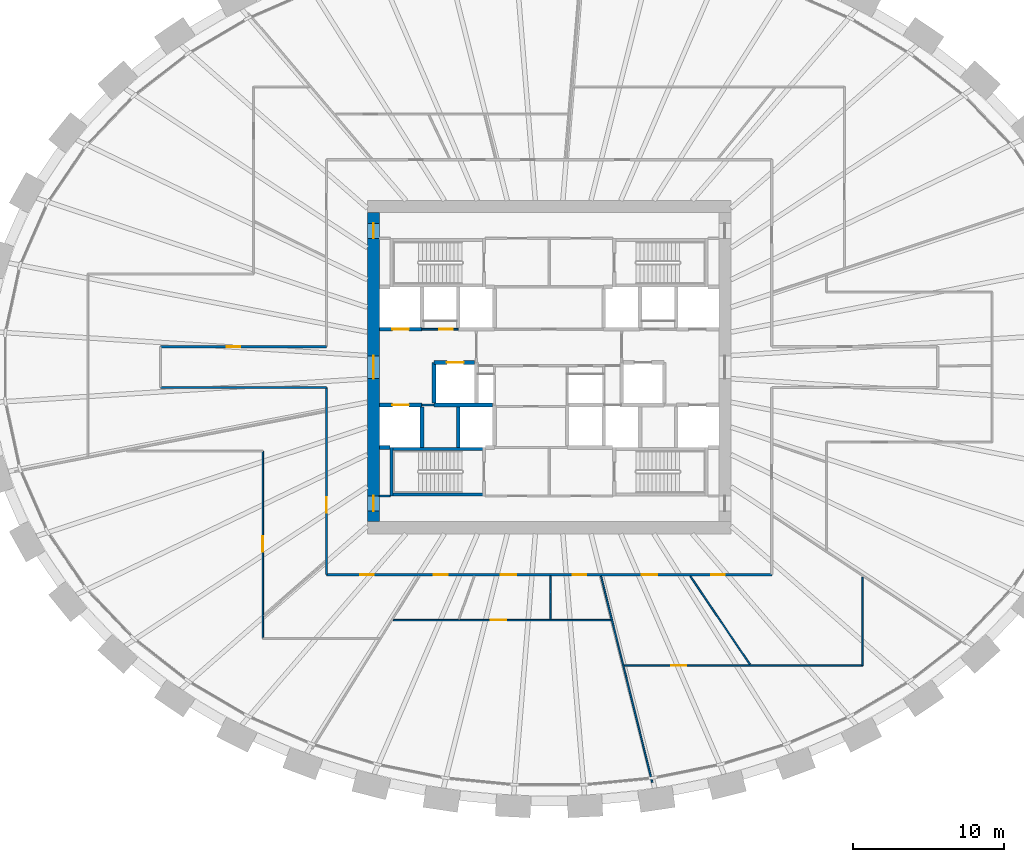
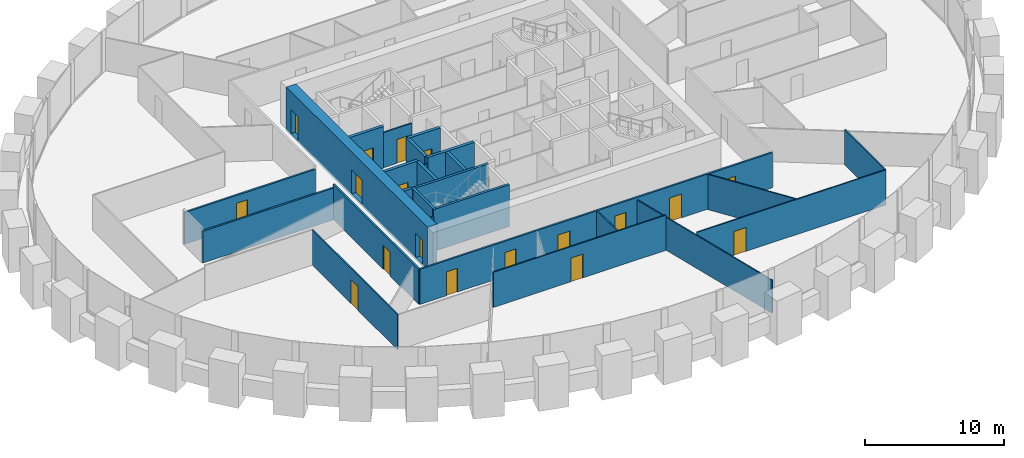
# One storey, part 6 of 10: 26 walls, 18 doors, 18 openings.
"""IFC4 building model written with IfcOpenShell, lengths in metres."""

from ifc_helpers import new_model, si_unit, direction, frame, frame_2d, origin, place, context, subcontext, project, spatial, rectangle, extrude, source, transform, mapped, material, layer, layer_set, type_object, element, fill, save


model = new_model("IFC4")

# Units and contexts
model_context = context("Model", 3, precision=1e-05, world=origin(), true_north=direction((0.0, 1.0)))
body_context = subcontext(model_context, "Body", "Model", "MODEL_VIEW")
ifc_project = project(units=[si_unit("LENGTHUNIT", "METRE"), si_unit("AREAUNIT", "SQUARE_METRE"), si_unit("VOLUMEUNIT", "CUBIC_METRE"), si_unit("PLANEANGLEUNIT", "RADIAN"), si_unit("MASSUNIT", "GRAM", prefix="KILO")], contexts=[model_context])

# Site, building, storey
site_placement = place(None, origin())
site = spatial("IfcSite", under=ifc_project, at=site_placement, CompositionType="ELEMENT")
building_placement = place(site_placement, origin())
building = spatial("IfcBuilding", under=site, at=building_placement, Name="Embergate Tower", CompositionType="ELEMENT")
storey_placement = place(building_placement, frame((0.0, 0.0, 171.60009765625)))
storey = spatial("IfcBuildingStorey", under=building, at=storey_placement, Name="L38", CompositionType="ELEMENT", Elevation=171.60009765625)

# Wall, openings, doors
ifc_material_1 = material(Name="Concrete C70", Category="concrete")
ifc_layer_1 = layer(ifc_material_1, 0.800048828125)
ifc_layer_set_1 = layer_set([ifc_layer_1], Name="Concrete C70")
wall_type_1 = type_object("IfcWallType", Name="Core outer wall C70 800", PredefinedType="SHEAR", material=ifc_layer_set_1)
shared_shape_1 = source(origin(), body_context, "Body", "SweptSolid", [
    extrude(rectangle(XDim=20.39990234375, YDim=0.800048828125, at=frame_2d((10.199951171875, 0.0))), origin(), (0.0, 0.0, 1.0), 3.900146484375),
])
wall_1_placement = place(storey_placement, frame((-11.60009765625, -10.199951171875, -0.2001953125), z_axis=(0.0, 0.0, 1.0), x_axis=(0.0, 1.0, 0.0)))
wall_1 = element("IfcWall", 1, at=wall_1_placement, inside=storey, type_object=wall_type_1, Name="CW-L38-W", PredefinedType="SHEAR", context=body_context, shape_type="MappedRepresentation", body=[
    mapped(shared_shape_1, transform((0.0, 0.0, 0.0))),
])
shared_shape_2 = source(origin(), body_context, "Body", "SweptSolid", [
    extrude(rectangle(XDim=1.0, YDim=2.10009765625, at=frame_2d((0.5, 1.050048828125))), frame((0.0, 0.409912109375, 0.0), z_axis=(0.0, -1.0, 0.0), x_axis=(1.0, 0.0, 0.0)), (0.0, 0.0, 1.0), 0.820068359375),
])
opening_1_placement = place(wall_1_placement, frame((18.699951171875, 0.0, 0.199951171875)))
opening_1 = element("IfcOpeningElement", 2, at=opening_1_placement, cuts=wall_1, Name="Opening IF-1d", PredefinedType="OPENING", context=body_context, shape_type="MappedRepresentation", body=[
    mapped(shared_shape_2, transform((0.0, 0.0, 0.0))),
])
opening_2_placement = place(wall_1_placement, frame((0.699951171875, 0.0, 0.199951171875)))
opening_2 = element("IfcOpeningElement", 3, at=opening_2_placement, cuts=wall_1, Name="Opening IF-1d", PredefinedType="OPENING", context=body_context, shape_type="MappedRepresentation", body=[
    mapped(shared_shape_2, transform((0.0, 0.0, 0.0))),
])
shared_shape_3 = source(origin(), body_context, "Body", "SweptSolid", [
    extrude(rectangle(XDim=1.5, YDim=2.10009765625, at=frame_2d((0.75, 1.050048828125))), frame((0.0, 0.409912109375, 0.0), z_axis=(0.0, -1.0, 0.0), x_axis=(1.0, 0.0, 0.0)), (0.0, 0.0, 1.0), 0.820068359375),
])
opening_3_placement = place(wall_1_placement, frame((9.449951171875, 0.0, 0.199951171875)))
opening_3 = element("IfcOpeningElement", 4, at=opening_3_placement, cuts=wall_1, Name="Opening IF-3", PredefinedType="OPENING", context=body_context, shape_type="MappedRepresentation", body=[
    mapped(shared_shape_3, transform((0.0, 0.0, 0.0))),
])
ifc_material_2 = material(Name="Lobby fire door pair 1500")
door_type_1 = type_object("IfcDoorType", Name="Lobby fire door pair 1500", OperationType="DOUBLE_DOOR_SINGLE_SWING", PredefinedType="DOOR", material=ifc_material_2)
shared_shape_4 = source(origin(), body_context, "Body", "SweptSolid", [
    extrude(rectangle(XDim=1.5, YDim=2.10009765625, at=frame_2d((0.75, 1.050048828125))), frame((0.0, 0.02490234375, 0.0), z_axis=(0.0, -1.0, 0.0), x_axis=(1.0, 0.0, 0.0)), (0.0, 0.0, 1.0), 0.050048828125),
])
door_1_placement = place(opening_3_placement, origin())
door_1 = element("IfcDoor", 5, at=door_1_placement, inside=storey, type_object=door_type_1, Name="IF-3 door", OperationType="DOUBLE_DOOR_SINGLE_SWING", OverallHeight=2.10009765625, OverallWidth=1.5, PredefinedType="DOOR", context=body_context, shape_type="MappedRepresentation", body=[
    mapped(shared_shape_4, transform((0.0, 0.0, 0.0))),
])
fill(opening_3, door_1)
ifc_material_3 = material(Name="Escape fire door 1000")
door_type_2 = type_object("IfcDoorType", Name="Escape fire door 1000", OperationType="SINGLE_SWING_LEFT", PredefinedType="DOOR", material=ifc_material_3)
shared_shape_5 = source(origin(), body_context, "Body", "SweptSolid", [
    extrude(rectangle(XDim=1.0, YDim=2.10009765625, at=frame_2d((0.5, 1.050048828125))), frame((0.0, 0.02490234375, 0.0), z_axis=(0.0, -1.0, 0.0), x_axis=(1.0, 0.0, 0.0)), (0.0, 0.0, 1.0), 0.050048828125),
])
door_2_placement = place(opening_1_placement, origin())
door_2 = element("IfcDoor", 6, at=door_2_placement, inside=storey, type_object=door_type_2, Name="IF-1 door", OperationType="SINGLE_SWING_RIGHT", OverallHeight=2.10009765625, OverallWidth=1.0, PredefinedType="DOOR", context=body_context, shape_type="MappedRepresentation", body=[
    mapped(shared_shape_5, transform((0.0, 0.0, 0.0))),
])
fill(opening_1, door_2)
door_3_placement = place(opening_2_placement, origin())
door_3 = element("IfcDoor", 7, at=door_3_placement, inside=storey, type_object=door_type_2, Name="IF-1 door", OperationType="SINGLE_SWING_RIGHT", OverallHeight=2.10009765625, OverallWidth=1.0, PredefinedType="DOOR", context=body_context, shape_type="MappedRepresentation", body=[
    mapped(shared_shape_5, transform((0.0, 0.0, 0.0))),
])
fill(opening_2, door_3)

# Wall, opening, door
ifc_material_4 = material(Name="Concrete C50", Category="concrete")
ifc_layer_2 = layer(ifc_material_4, 0.25)
ifc_layer_set_2 = layer_set([ifc_layer_2], Name="Concrete C50")
wall_type_2 = type_object("IfcWallType", Name="Hoistway wall reinforced concrete 250", PredefinedType="SHEAR", material=ifc_layer_set_2)
shared_shape_6 = source(origin(), body_context, "Body", "SweptSolid", [
    extrude(rectangle(XDim=2.675048828125, YDim=0.25, at=frame_2d((1.33740234375, 0.0))), origin(), (0.0, 0.0, 1.0), 3.699951171875),
])
wall_2_placement = place(storey_placement, frame((-4.925048828125, 0.300048828125, 0.0), z_axis=(0.0, 0.0, 1.0), x_axis=(-1.0, 0.0, 0.0)))
wall_2 = element("IfcWall", 8, at=wall_2_placement, inside=storey, type_object=wall_type_2, Name="HW-1 wall", PredefinedType="SHEAR", context=body_context, shape_type="MappedRepresentation", body=[
    mapped(shared_shape_6, transform((0.0, 0.0, 0.0))),
])
shared_shape_7 = source(origin(), body_context, "Body", "SweptSolid", [
    extrude(rectangle(XDim=1.10009765625, YDim=2.10009765625, at=frame_2d((0.550048828125, 1.050048828125))), frame((0.0, 0.135009765625, 0.0), z_axis=(0.0, -1.0, 0.0), x_axis=(1.0, 0.0, 0.0)), (0.0, 0.0, 1.0), 0.27001953125),
])
opening_4_placement = place(wall_2_placement, frame((0.72509765625, 0.0, 0.0)))
opening_4 = element("IfcOpeningElement", 9, at=opening_4_placement, cuts=wall_2, Name="Opening LD", PredefinedType="OPENING", context=body_context, shape_type="MappedRepresentation", body=[
    mapped(shared_shape_7, transform((0.0, 0.0, 0.0))),
])
ifc_material_5 = material(Name="Landing door sliding 1100")
door_type_3 = type_object("IfcDoorType", Name="Landing door sliding 1100", OperationType="SLIDING_TO_LEFT", PredefinedType="DOOR", material=ifc_material_5)
shared_shape_8 = source(origin(), body_context, "Body", "SweptSolid", [
    extrude(rectangle(XDim=1.10009765625, YDim=2.10009765625, at=frame_2d((0.550048828125, 1.050048828125))), frame((0.0, 0.02490234375, 0.0), z_axis=(0.0, -1.0, 0.0), x_axis=(1.0, 0.0, 0.0)), (0.0, 0.0, 1.0), 0.050048828125),
])
door_4_placement = place(opening_4_placement, origin())
door_4 = element("IfcDoor", 10, at=door_4_placement, inside=storey, type_object=door_type_3, Name="LD door", OperationType="SLIDING_TO_LEFT", OverallHeight=2.10009765625, OverallWidth=1.10009765625, PredefinedType="DOOR", context=body_context, shape_type="MappedRepresentation", body=[
    mapped(shared_shape_8, transform((0.0, 0.0, 0.0))),
])
fill(opening_4, door_4)

# Walls
wall_3_placement = place(storey_placement, frame((-7.60009765625, 0.300048828125, 0.0), z_axis=(0.0, 0.0, 1.0), x_axis=(0.0, -1.0, 0.0)))
element("IfcWall", 11, at=wall_3_placement, inside=storey, type_object=wall_type_2, Name="HW-1 wall", PredefinedType="SHEAR", context=body_context, shape_type="MappedRepresentation", body=[
    mapped(shared_shape_6, transform((0.0, 0.0, 0.0))),
])
ifc_layer_3 = layer(ifc_material_4, 0.199951171875)
ifc_layer_set_3 = layer_set([ifc_layer_3], Name="Concrete C50")
wall_type_3 = type_object("IfcWallType", Name="Stair enclosure wall reinforced concrete 250", PredefinedType="SHEAR", material=ifc_layer_set_3)
shared_shape_9 = source(origin(), body_context, "Body", "SweptSolid", [
    extrude(rectangle(XDim=6.300048828125, YDim=0.199951171875, at=frame_2d((3.14990234375, 0.0))), origin(), (0.0, 0.0, 1.0), 3.699951171875),
])
for number, where, z_axis, x_axis, name in (
    (12, (-10.5, -5.39990234375, 0.0), (0.0, 0.0, 1.0), (1.0, 0.0, 0.0), "SE-1 wall"),
    (13, (-10.5, -8.39990234375, 0.0), (0.0, 0.0, 1.0), (1.0, 0.0, 0.0), "SE-1 wall"),
):
    element("IfcWall", number, at=place(storey_placement, frame(where, z_axis=z_axis, x_axis=x_axis)), inside=storey, type_object=wall_type_3, Name=name, PredefinedType="SHEAR", context=body_context, shape_type="MappedRepresentation", body=[
        mapped(shared_shape_9, transform((0.0, 0.0, 0.0))),
    ])

# Wall, opening, door
shared_shape_10 = source(origin(), body_context, "Body", "SweptSolid", [
    extrude(rectangle(XDim=2.800048828125, YDim=0.25, at=frame_2d((1.39990234375, 0.0))), origin(), (0.0, 0.0, 1.0), 3.699951171875),
])
wall_4_placement = place(storey_placement, frame((-11.199951171875, 2.5, 0.0), z_axis=(0.0, 0.0, 1.0), x_axis=(1.0, 0.0, 0.0)))
wall_4 = element("IfcWall", 14, at=wall_4_placement, inside=storey, type_object=wall_type_2, Name="HW-1 wall", PredefinedType="SHEAR", context=body_context, shape_type="MappedRepresentation", body=[
    mapped(shared_shape_10, transform((0.0, 0.0, 0.0))),
])
opening_5_placement = place(wall_4_placement, frame((0.85009765625, 0.0, 0.0)))
opening_5 = element("IfcOpeningElement", 15, at=opening_5_placement, cuts=wall_4, Name="Opening LD", PredefinedType="OPENING", context=body_context, shape_type="MappedRepresentation", body=[
    mapped(shared_shape_7, transform((0.0, 0.0, 0.0))),
])
door_5_placement = place(opening_5_placement, origin())
door_5 = element("IfcDoor", 16, at=door_5_placement, inside=storey, type_object=door_type_3, Name="LD door", OperationType="SLIDING_TO_LEFT", OverallHeight=2.10009765625, OverallWidth=1.10009765625, PredefinedType="DOOR", context=body_context, shape_type="MappedRepresentation", body=[
    mapped(shared_shape_8, transform((0.0, 0.0, 0.0))),
])
fill(opening_5, door_5)

wall_5_placement = place(storey_placement, frame((-8.39990234375, -2.5, 0.0), z_axis=(0.0, 0.0, 1.0), x_axis=(-1.0, 0.0, 0.0)))
wall_5 = element("IfcWall", 17, at=wall_5_placement, inside=storey, type_object=wall_type_2, Name="HW-1 wall", PredefinedType="SHEAR", context=body_context, shape_type="MappedRepresentation", body=[
    mapped(shared_shape_10, transform((0.0, 0.0, 0.0))),
])
opening_6_placement = place(wall_5_placement, frame((0.85009765625, 0.0, 0.0)))
opening_6 = element("IfcOpeningElement", 18, at=opening_6_placement, cuts=wall_5, Name="Opening LD", PredefinedType="OPENING", context=body_context, shape_type="MappedRepresentation", body=[
    mapped(shared_shape_7, transform((0.0, 0.0, 0.0))),
])
door_6_placement = place(opening_6_placement, origin())
door_6 = element("IfcDoor", 19, at=door_6_placement, inside=storey, type_object=door_type_3, Name="LD door", OperationType="SLIDING_TO_LEFT", OverallHeight=2.10009765625, OverallWidth=1.10009765625, PredefinedType="DOOR", context=body_context, shape_type="MappedRepresentation", body=[
    mapped(shared_shape_8, transform((0.0, 0.0, 0.0))),
])
fill(opening_6, door_6)

# Walls
shared_shape_11 = source(origin(), body_context, "Body", "SweptSolid", [
    extrude(rectangle(XDim=3.872802734375, YDim=0.25, at=frame_2d((1.9365234375, 0.0))), origin(), (0.0, 0.0, 1.0), 3.699951171875),
])
wall_6_placement = place(storey_placement, frame((-3.72509765625, -2.5, 0.0), z_axis=(0.0, 0.0, 1.0), x_axis=(-1.0, 0.0, 0.0)))
element("IfcWall", 20, at=wall_6_placement, inside=storey, type_object=wall_type_2, Name="HW-1 wall", PredefinedType="SHEAR", context=body_context, shape_type="MappedRepresentation", body=[
    mapped(shared_shape_11, transform((0.0, 0.0, 0.0))),
])
shared_shape_12 = source(origin(), body_context, "Body", "SweptSolid", [
    extrude(rectangle(XDim=3.196044921875, YDim=0.199951171875, at=frame_2d((1.59814453125, 0.0))), origin(), (0.0, 0.0, 1.0), 3.699951171875),
])
wall_7_placement = place(storey_placement, frame((-10.39990234375, -5.302001953125, 0.0), z_axis=(0.0, 0.0, 1.0), x_axis=(0.0, -1.0, 0.0)))
element("IfcWall", 21, at=wall_7_placement, inside=storey, type_object=wall_type_3, Name="SE-1 wall", PredefinedType="SHEAR", context=body_context, shape_type="MappedRepresentation", body=[
    mapped(shared_shape_12, transform((0.0, 0.0, 0.0))),
])
shared_shape_13 = source(origin(), body_context, "Body", "SweptSolid", [
    extrude(rectangle(XDim=0.697998046875, YDim=0.25, at=frame_2d((0.34912109375, 0.0))), origin(), (0.0, 0.0, 1.0), 3.699951171875),
])
wall_8_placement = place(storey_placement, frame((-11.199951171875, -5.300048828125, 0.0), z_axis=(0.0, 0.0, 1.0), x_axis=(1.0, 0.0, 0.0)))
element("IfcWall", 22, at=wall_8_placement, inside=storey, type_object=wall_type_2, Name="HW-1 wall", PredefinedType="SHEAR", context=body_context, shape_type="MappedRepresentation", body=[
    mapped(shared_shape_13, transform((0.0, 0.0, 0.0))),
])
shared_shape_14 = source(origin(), body_context, "Body", "SweptSolid", [
    extrude(rectangle(XDim=2.671142578125, YDim=0.25, at=frame_2d((1.33544921875, 0.0))), origin(), (0.0, 0.0, 1.0), 3.699951171875),
])
for number, where, z_axis, x_axis, name in (
    (23, (-8.39990234375, -5.298095703125, 0.0), (0.0, 0.0, 1.0), (0.0, 1.0, 0.0), "HW-1 wall"),
    (24, (-6.0, -2.626953125, 0.0), (0.0, 0.0, 1.0), (0.0, -1.0, 0.0), "HW-1 wall"),
):
    element("IfcWall", number, at=place(storey_placement, frame(where, z_axis=z_axis, x_axis=x_axis)), inside=storey, type_object=wall_type_2, Name=name, PredefinedType="SHEAR", context=body_context, shape_type="MappedRepresentation", body=[
        mapped(shared_shape_14, transform((0.0, 0.0, 0.0))),
    ])

# Wall, opening, door
ifc_material_6 = material(Name="Core partition blockwork 120")
ifc_layer_4 = layer(ifc_material_6, 0.1201171875)
ifc_layer_set_4 = layer_set([ifc_layer_4], Name="Core partition blockwork 120")
wall_type_4 = type_object("IfcWallType", Name="Core partition blockwork 120", PredefinedType="PARTITIONING", material=ifc_layer_set_4)
shared_shape_15 = source(origin(), body_context, "Body", "SweptSolid", [
    extrude(rectangle(XDim=2.39990234375, YDim=0.1201171875, at=frame_2d((1.199951171875, 0.0))), origin(), (0.0, 0.0, 1.0), 3.099853515625),
])
wall_9_placement = place(storey_placement, frame((-8.39990234375, 2.5, 0.0), z_axis=(0.0, 0.0, 1.0), x_axis=(1.0, 0.0, 0.0)))
wall_9 = element("IfcWall", 25, at=wall_9_placement, inside=storey, type_object=wall_type_4, Name="IP-3 wall", PredefinedType="PARTITIONING", context=body_context, shape_type="MappedRepresentation", body=[
    mapped(shared_shape_15, transform((0.0, 0.0, 0.0))),
])
shared_shape_16 = source(origin(), body_context, "Body", "SweptSolid", [
    extrude(rectangle(XDim=0.89990234375, YDim=2.10009765625, at=frame_2d((0.449951171875, 1.050048828125))), frame((0.0, 0.070068359375, 0.0), z_axis=(0.0, -1.0, 0.0), x_axis=(1.0, 0.0, 0.0)), (0.0, 0.0, 1.0), 0.14013671875),
])
opening_7_placement = place(wall_9_placement, frame((1.14990234375, 0.0, 0.0)))
opening_7 = element("IfcOpeningElement", 26, at=opening_7_placement, cuts=wall_9, Name="Opening ID-1", PredefinedType="OPENING", context=body_context, shape_type="MappedRepresentation", body=[
    mapped(shared_shape_16, transform((0.0, 0.0, 0.0))),
])
ifc_material_7 = material(Name="Interior door 900")
door_type_4 = type_object("IfcDoorType", Name="Interior door 900", OperationType="SINGLE_SWING_LEFT", PredefinedType="DOOR", material=ifc_material_7)
shared_shape_17 = source(origin(), body_context, "Body", "SweptSolid", [
    extrude(rectangle(XDim=0.89990234375, YDim=2.10009765625, at=frame_2d((0.449951171875, 1.050048828125))), frame((0.0, 0.02490234375, 0.0), z_axis=(0.0, -1.0, 0.0), x_axis=(1.0, 0.0, 0.0)), (0.0, 0.0, 1.0), 0.050048828125),
])
door_7_placement = place(opening_7_placement, origin())
door_7 = element("IfcDoor", 27, at=door_7_placement, inside=storey, type_object=door_type_4, Name="ID-1 door", OperationType="SINGLE_SWING_RIGHT", OverallHeight=2.10009765625, OverallWidth=0.89990234375, PredefinedType="DOOR", context=body_context, shape_type="MappedRepresentation", body=[
    mapped(shared_shape_17, transform((0.0, 0.0, 0.0))),
])
fill(opening_7, door_7)

# Walls
shared_shape_18 = source(origin(), body_context, "Body", "SweptSolid", [
    extrude(rectangle(XDim=0.7958984375, YDim=0.1201171875, at=frame_2d((0.39794921875, 0.0))), origin(), (0.0, 0.0, 1.0), 3.099853515625),
])
wall_10_placement = place(storey_placement, frame((-8.39794921875, -2.5, 0.0), z_axis=(0.0, 0.0, 1.0), x_axis=(1.0, 0.0, 0.0)))
element("IfcWall", 28, at=wall_10_placement, inside=storey, type_object=wall_type_4, Name="IP-3 wall", PredefinedType="PARTITIONING", context=body_context, shape_type="MappedRepresentation", body=[
    mapped(shared_shape_18, transform((0.0, 0.0, 0.0))),
])
shared_shape_19 = source(origin(), body_context, "Body", "SweptSolid", [
    extrude(rectangle(XDim=0.697998046875, YDim=0.1201171875, at=frame_2d((0.34912109375, 0.0))), origin(), (0.0, 0.0, 1.0), 3.099853515625),
])
wall_11_placement = place(storey_placement, frame((-10.501953125, -8.5, 0.0), z_axis=(0.0, 0.0, 1.0), x_axis=(-1.0, 0.0, 0.0)))
element("IfcWall", 29, at=wall_11_placement, inside=storey, type_object=wall_type_4, Name="IP-3 wall", PredefinedType="PARTITIONING", context=body_context, shape_type="MappedRepresentation", body=[
    mapped(shared_shape_19, transform((0.0, 0.0, 0.0))),
])
ifc_material_8 = material(Name="Corridor wall dry-lined 150")
ifc_layer_5 = layer(ifc_material_8, 0.14990234375)
ifc_layer_set_5 = layer_set([ifc_layer_5], Name="Corridor wall dry-lined 150")
wall_type_5 = type_object("IfcWallType", Name="Corridor wall dry-lined 150", PredefinedType="PARTITIONING", material=ifc_layer_set_5)
shared_shape_20 = source(origin(), body_context, "Body", "SweptSolid", [
    extrude(rectangle(XDim=10.949951171875, YDim=0.14990234375, at=frame_2d((5.47509765625, 0.0))), origin(), (0.0, 0.0, 1.0), 2.7998046875),
])
wall_12_placement = place(storey_placement, frame((-14.699951171875, -1.35009765625, 0.0), z_axis=(0.0, 0.0, 1.0), x_axis=(-1.0, 0.0, 0.0)))
element("IfcWall", 30, at=wall_12_placement, inside=storey, type_object=wall_type_5, Name="IP-2 wall", PredefinedType="PARTITIONING", context=body_context, shape_type="MappedRepresentation", body=[
    mapped(shared_shape_20, transform((0.0, 0.0, 0.0))),
])

# Wall, opening, door
wall_13_placement = place(storey_placement, frame((-25.64990234375, 1.35009765625, 0.0), z_axis=(0.0, 0.0, 1.0), x_axis=(1.0, 0.0, 0.0)))
wall_13 = element("IfcWall", 31, at=wall_13_placement, inside=storey, type_object=wall_type_5, Name="IP-2 wall", PredefinedType="PARTITIONING", context=body_context, shape_type="MappedRepresentation", body=[
    mapped(shared_shape_20, transform((0.0, 0.0, 0.0))),
])
shared_shape_21 = source(origin(), body_context, "Body", "SweptSolid", [
    extrude(rectangle(XDim=0.89990234375, YDim=2.10009765625, at=frame_2d((0.449951171875, 1.050048828125))), frame((0.0, 0.0849609375, 0.0), z_axis=(0.0, -1.0, 0.0), x_axis=(1.0, 0.0, 0.0)), (0.0, 0.0, 1.0), 0.169921875),
])
opening_8_placement = place(wall_13_placement, frame((4.364013671875, 0.0, 0.0)))
opening_8 = element("IfcOpeningElement", 32, at=opening_8_placement, cuts=wall_13, Name="Opening IF-1c", PredefinedType="OPENING", context=body_context, shape_type="MappedRepresentation", body=[
    mapped(shared_shape_21, transform((0.0, 0.0, 0.0))),
])
ifc_material_9 = material(Name="Escape fire door 900")
door_type_5 = type_object("IfcDoorType", Name="Escape fire door 900", OperationType="SINGLE_SWING_LEFT", PredefinedType="DOOR", material=ifc_material_9)
door_8_placement = place(opening_8_placement, origin())
door_8 = element("IfcDoor", 33, at=door_8_placement, inside=storey, type_object=door_type_5, Name="IF-1 door", OperationType="SINGLE_SWING_RIGHT", OverallHeight=2.10009765625, OverallWidth=0.89990234375, PredefinedType="DOOR", context=body_context, shape_type="MappedRepresentation", body=[
    mapped(shared_shape_17, transform((0.0, 0.0, 0.0))),
])
fill(opening_8, door_8)

shared_shape_22 = source(origin(), body_context, "Body", "SweptSolid", [
    extrude(rectangle(XDim=12.349853515625, YDim=0.14990234375, at=frame_2d((6.1748046875, 0.0))), origin(), (0.0, 0.0, 1.0), 3.099853515625),
])
wall_14_placement = place(storey_placement, frame((-14.699951171875, -13.699951171875, 0.0), z_axis=(0.0, 0.0, 1.0), x_axis=(0.0, 1.0, 0.0)))
wall_14 = element("IfcWall", 34, at=wall_14_placement, inside=storey, type_object=wall_type_5, Name="IP-2 wall", PredefinedType="PARTITIONING", context=body_context, shape_type="MappedRepresentation", body=[
    mapped(shared_shape_22, transform((0.0, 0.0, 0.0))),
])
shared_shape_23 = source(origin(), body_context, "Body", "SweptSolid", [
    extrude(rectangle(XDim=1.0, YDim=2.10009765625, at=frame_2d((0.5, 1.050048828125))), frame((0.0, 0.0849609375, 0.0), z_axis=(0.0, -1.0, 0.0), x_axis=(1.0, 0.0, 0.0)), (0.0, 0.0, 1.0), 0.169921875),
])
opening_9_placement = place(wall_14_placement, frame((4.095947265625, 0.0, 0.0)))
opening_9 = element("IfcOpeningElement", 35, at=opening_9_placement, cuts=wall_14, Name="Opening ID-2", PredefinedType="OPENING", context=body_context, shape_type="MappedRepresentation", body=[
    mapped(shared_shape_23, transform((0.0, 0.0, 0.0))),
])
ifc_material_10 = material(Name="Interior door 1000")
door_type_6 = type_object("IfcDoorType", Name="Interior door 1000", OperationType="SINGLE_SWING_LEFT", PredefinedType="DOOR", material=ifc_material_10)
door_9_placement = place(opening_9_placement, origin())
door_9 = element("IfcDoor", 36, at=door_9_placement, inside=storey, type_object=door_type_6, Name="ID-2 door", OperationType="SINGLE_SWING_RIGHT", OverallHeight=2.10009765625, OverallWidth=1.0, PredefinedType="DOOR", context=body_context, shape_type="MappedRepresentation", body=[
    mapped(shared_shape_5, transform((0.0, 0.0, 0.0))),
])
fill(opening_9, door_9)

# Wall, openings, doors
shared_shape_24 = source(origin(), body_context, "Body", "SweptSolid", [
    extrude(rectangle(XDim=29.39990234375, YDim=0.14990234375, at=frame_2d((14.699951171875, 0.0))), origin(), (0.0, 0.0, 1.0), 3.099853515625),
])
wall_15_placement = place(storey_placement, frame((14.699951171875, -13.699951171875, 0.0), z_axis=(0.0, 0.0, 1.0), x_axis=(-1.0, 0.0, 0.0)))
wall_15 = element("IfcWall", 37, at=wall_15_placement, inside=storey, type_object=wall_type_5, Name="IP-2 wall", PredefinedType="PARTITIONING", context=body_context, shape_type="MappedRepresentation", body=[
    mapped(shared_shape_24, transform((0.0, 0.0, 0.0))),
])
opening_10_placement = place(wall_15_placement, frame((26.278076171875, 0.0, 0.0)))
opening_10 = element("IfcOpeningElement", 38, at=opening_10_placement, cuts=wall_15, Name="Opening IF-1c", PredefinedType="OPENING", context=body_context, shape_type="MappedRepresentation", body=[
    mapped(shared_shape_21, transform((0.0, 0.0, 0.0))),
])
opening_11_placement = place(wall_15_placement, frame((21.40087890625, 0.0, 0.0)))
opening_11 = element("IfcOpeningElement", 39, at=opening_11_placement, cuts=wall_15, Name="Opening IF-1c", PredefinedType="OPENING", context=body_context, shape_type="MappedRepresentation", body=[
    mapped(shared_shape_21, transform((0.0, 0.0, 0.0))),
])
opening_12_placement = place(wall_15_placement, frame((16.8798828125, 0.0, 0.0)))
opening_12 = element("IfcOpeningElement", 40, at=opening_12_placement, cuts=wall_15, Name="Opening ID-2", PredefinedType="OPENING", context=body_context, shape_type="MappedRepresentation", body=[
    mapped(shared_shape_23, transform((0.0, 0.0, 0.0))),
])
opening_13_placement = place(wall_15_placement, frame((12.23291015625, 0.0, 0.0)))
opening_13 = element("IfcOpeningElement", 41, at=opening_13_placement, cuts=wall_15, Name="Opening IF-1c", PredefinedType="OPENING", context=body_context, shape_type="MappedRepresentation", body=[
    mapped(shared_shape_21, transform((0.0, 0.0, 0.0))),
])
opening_14_placement = place(wall_15_placement, frame((7.573974609375, 0.0, 0.0)))
opening_14 = element("IfcOpeningElement", 42, at=opening_14_placement, cuts=wall_15, Name="Opening ID-2", PredefinedType="OPENING", context=body_context, shape_type="MappedRepresentation", body=[
    mapped(shared_shape_23, transform((0.0, 0.0, 0.0))),
])
opening_15_placement = place(wall_15_placement, frame((3.10205078125, 0.0, 0.0)))
opening_15 = element("IfcOpeningElement", 43, at=opening_15_placement, cuts=wall_15, Name="Opening IF-1c", PredefinedType="OPENING", context=body_context, shape_type="MappedRepresentation", body=[
    mapped(shared_shape_21, transform((0.0, 0.0, 0.0))),
])
door_10_placement = place(opening_10_placement, origin())
door_10 = element("IfcDoor", 44, at=door_10_placement, inside=storey, type_object=door_type_5, Name="IF-1 door", OperationType="SINGLE_SWING_RIGHT", OverallHeight=2.10009765625, OverallWidth=0.89990234375, PredefinedType="DOOR", context=body_context, shape_type="MappedRepresentation", body=[
    mapped(shared_shape_17, transform((0.0, 0.0, 0.0))),
])
fill(opening_10, door_10)
door_11_placement = place(opening_11_placement, origin())
door_11 = element("IfcDoor", 45, at=door_11_placement, inside=storey, type_object=door_type_5, Name="IF-1 door", OperationType="SINGLE_SWING_LEFT", OverallHeight=2.10009765625, OverallWidth=0.89990234375, PredefinedType="DOOR", context=body_context, shape_type="MappedRepresentation", body=[
    mapped(shared_shape_17, transform((0.0, 0.0, 0.0))),
])
fill(opening_11, door_11)
door_12_placement = place(opening_13_placement, origin())
door_12 = element("IfcDoor", 46, at=door_12_placement, inside=storey, type_object=door_type_5, Name="IF-1 door", OperationType="SINGLE_SWING_LEFT", OverallHeight=2.10009765625, OverallWidth=0.89990234375, PredefinedType="DOOR", context=body_context, shape_type="MappedRepresentation", body=[
    mapped(shared_shape_17, transform((0.0, 0.0, 0.0))),
])
fill(opening_13, door_12)
door_13_placement = place(opening_15_placement, origin())
door_13 = element("IfcDoor", 47, at=door_13_placement, inside=storey, type_object=door_type_5, Name="IF-1 door", OperationType="SINGLE_SWING_RIGHT", OverallHeight=2.10009765625, OverallWidth=0.89990234375, PredefinedType="DOOR", context=body_context, shape_type="MappedRepresentation", body=[
    mapped(shared_shape_17, transform((0.0, 0.0, 0.0))),
])
fill(opening_15, door_13)
door_14_placement = place(opening_12_placement, origin())
door_14 = element("IfcDoor", 48, at=door_14_placement, inside=storey, type_object=door_type_6, Name="ID-2 door", OperationType="SINGLE_SWING_LEFT", OverallHeight=2.10009765625, OverallWidth=1.0, PredefinedType="DOOR", context=body_context, shape_type="MappedRepresentation", body=[
    mapped(shared_shape_5, transform((0.0, 0.0, 0.0))),
])
fill(opening_12, door_14)
door_15_placement = place(opening_14_placement, origin())
door_15 = element("IfcDoor", 49, at=door_15_placement, inside=storey, type_object=door_type_6, Name="ID-2 door", OperationType="SINGLE_SWING_RIGHT", OverallHeight=2.10009765625, OverallWidth=1.0, PredefinedType="DOOR", context=body_context, shape_type="MappedRepresentation", body=[
    mapped(shared_shape_5, transform((0.0, 0.0, 0.0))),
])
fill(opening_14, door_15)

# Wall, opening, door
ifc_material_11 = material(Name="Partition dry-lined 100")
ifc_layer_6 = layer(ifc_material_11, 0.10009765625)
ifc_layer_set_6 = layer_set([ifc_layer_6], Name="Partition dry-lined 100")
wall_type_6 = type_object("IfcWallType", Name="Partition dry-lined 100", PredefinedType="PARTITIONING", material=ifc_layer_set_6)
shared_shape_25 = source(origin(), body_context, "Body", "SweptSolid", [
    extrude(rectangle(XDim=12.349853515625, YDim=0.10009765625, at=frame_2d((6.1748046875, 0.0))), origin(), (0.0, 0.0, 1.0), 3.099853515625),
])
wall_16_placement = place(storey_placement, frame((-18.89990234375, -17.89990234375, 0.0), z_axis=(0.0, 0.0, 1.0), x_axis=(0.0, 1.0, 0.0)))
wall_16 = element("IfcWall", 50, at=wall_16_placement, inside=storey, type_object=wall_type_6, Name="IP-1 wall", PredefinedType="PARTITIONING", context=body_context, shape_type="MappedRepresentation", body=[
    mapped(shared_shape_25, transform((0.0, 0.0, 0.0))),
])
shared_shape_26 = source(origin(), body_context, "Body", "SweptSolid", [
    extrude(rectangle(XDim=1.0, YDim=2.10009765625, at=frame_2d((0.5, 1.050048828125))), frame((0.0, 0.06005859375, 0.0), z_axis=(0.0, -1.0, 0.0), x_axis=(1.0, 0.0, 0.0)), (0.0, 0.0, 1.0), 0.1201171875),
])
opening_16_placement = place(wall_16_placement, frame((5.722900390625, 0.0, 0.0)))
opening_16 = element("IfcOpeningElement", 51, at=opening_16_placement, cuts=wall_16, Name="Opening ID-2", PredefinedType="OPENING", context=body_context, shape_type="MappedRepresentation", body=[
    mapped(shared_shape_26, transform((0.0, 0.0, 0.0))),
])
door_16_placement = place(opening_16_placement, origin())
door_16 = element("IfcDoor", 52, at=door_16_placement, inside=storey, type_object=door_type_6, Name="ID-2 door", OperationType="SINGLE_SWING_RIGHT", OverallHeight=2.10009765625, OverallWidth=1.0, PredefinedType="DOOR", context=body_context, shape_type="MappedRepresentation", body=[
    mapped(shared_shape_5, transform((0.0, 0.0, 0.0))),
])
fill(opening_16, door_16)

shared_shape_27 = source(origin(), body_context, "Body", "SweptSolid", [
    extrude(rectangle(XDim=14.3720703125, YDim=0.10009765625, at=frame_2d((7.18603515625, 0.0))), origin(), (0.0, 0.0, 1.0), 3.099853515625),
])
wall_17_placement = place(storey_placement, frame((4.0849609375, -16.699951171875, 0.0), z_axis=(0.0, 0.0, 1.0), x_axis=(-1.0, 0.0, 0.0)))
wall_17 = element("IfcWall", 53, at=wall_17_placement, inside=storey, type_object=wall_type_6, Name="IP-1 wall", PredefinedType="PARTITIONING", context=body_context, shape_type="MappedRepresentation", body=[
    mapped(shared_shape_27, transform((0.0, 0.0, 0.0))),
])
opening_17_placement = place(wall_17_placement, frame((6.92431640625, 0.0, 0.0)))
opening_17 = element("IfcOpeningElement", 54, at=opening_17_placement, cuts=wall_17, Name="Opening ID-2", PredefinedType="OPENING", context=body_context, shape_type="MappedRepresentation", body=[
    mapped(shared_shape_26, transform((0.0, 0.0, 0.0))),
])
door_17_placement = place(opening_17_placement, origin())
door_17 = element("IfcDoor", 55, at=door_17_placement, inside=storey, type_object=door_type_6, Name="ID-2 door", OperationType="SINGLE_SWING_LEFT", OverallHeight=2.10009765625, OverallWidth=1.0, PredefinedType="DOOR", context=body_context, shape_type="MappedRepresentation", body=[
    mapped(shared_shape_5, transform((0.0, 0.0, 0.0))),
])
fill(opening_17, door_17)

# Walls
shared_shape_28 = source(origin(), body_context, "Body", "SweptSolid", [
    extrude(rectangle(XDim=2.875, YDim=0.10009765625, at=frame_2d((1.4375, 0.0))), origin(), (0.0, 0.0, 1.0), 3.099853515625),
])
wall_18_placement = place(storey_placement, frame((0.0849609375, -13.77490234375, 0.0), z_axis=(0.0, 0.0, 1.0), x_axis=(0.006283843324, -0.999980256462, 0.0)))
element("IfcWall", 56, at=wall_18_placement, inside=storey, type_object=wall_type_6, Name="IP-1 wall", PredefinedType="PARTITIONING", context=body_context, shape_type="MappedRepresentation", body=[
    mapped(shared_shape_28, transform((0.0, 0.0, 0.0))),
])
shared_shape_29 = source(origin(), body_context, "Body", "SweptSolid", [
    extrude(rectangle(XDim=14.034912109375, YDim=0.10009765625, at=frame_2d((7.017578125, 0.0))), origin(), (0.0, 0.0, 1.0), 2.89990234375),
])
wall_19_placement = place(storey_placement, frame((3.426025390625, -13.787109375, 0.0), z_axis=(0.0, 0.0, 1.0), x_axis=(0.24111509686, -0.970496527591, 0.0)))
element("IfcWall", 57, at=wall_19_placement, inside=storey, type_object=wall_type_6, Name="IP-1 wall", PredefinedType="PARTITIONING", context=body_context, shape_type="MappedRepresentation", body=[
    mapped(shared_shape_29, transform((0.0, 0.0, 0.0))),
])
shared_shape_30 = source(origin(), body_context, "Body", "SweptSolid", [
    extrude(rectangle(XDim=7.021728515625, YDim=0.10009765625, at=frame_2d((3.5107421875, 0.0))), origin(), (0.0, 0.0, 1.0), 3.099853515625),
])
wall_20_placement = place(storey_placement, frame((9.323974609375, -13.802978515625, 0.0), z_axis=(0.0, 0.0, 1.0), x_axis=(0.559672882292, -0.828713620515, 0.0)))
element("IfcWall", 58, at=wall_20_placement, inside=storey, type_object=wall_type_6, Name="IP-1 wall", PredefinedType="PARTITIONING", context=body_context, shape_type="MappedRepresentation", body=[
    mapped(shared_shape_30, transform((0.0, 0.0, 0.0))),
])

# Wall, opening, door
shared_shape_31 = source(origin(), body_context, "Body", "SweptSolid", [
    extrude(rectangle(XDim=15.740966796875, YDim=0.10009765625, at=frame_2d((7.87060546875, 0.0))), origin(), (0.0, 0.0, 1.0), 3.099853515625),
])
wall_21_placement = place(storey_placement, frame((4.958984375, -19.699951171875, 0.0), z_axis=(0.0, 0.0, 1.0), x_axis=(1.0, 0.0, 0.0)))
wall_21 = element("IfcWall", 59, at=wall_21_placement, inside=storey, type_object=wall_type_6, Name="IP-1 wall", PredefinedType="PARTITIONING", context=body_context, shape_type="MappedRepresentation", body=[
    mapped(shared_shape_31, transform((0.0, 0.0, 0.0))),
])
opening_18_placement = place(wall_21_placement, frame((3.097412109375, 0.0, 0.0)))
opening_18 = element("IfcOpeningElement", 60, at=opening_18_placement, cuts=wall_21, Name="Opening ID-2", PredefinedType="OPENING", context=body_context, shape_type="MappedRepresentation", body=[
    mapped(shared_shape_26, transform((0.0, 0.0, 0.0))),
])
door_18_placement = place(opening_18_placement, origin())
door_18 = element("IfcDoor", 61, at=door_18_placement, inside=storey, type_object=door_type_6, Name="ID-2 door", OperationType="SINGLE_SWING_LEFT", OverallHeight=2.10009765625, OverallWidth=1.0, PredefinedType="DOOR", context=body_context, shape_type="MappedRepresentation", body=[
    mapped(shared_shape_5, transform((0.0, 0.0, 0.0))),
])
fill(opening_18, door_18)

# Wall
shared_shape_32 = source(origin(), body_context, "Body", "SweptSolid", [
    extrude(rectangle(XDim=5.845947265625, YDim=0.10009765625, at=frame_2d((2.9228515625, 0.0))), origin(), (0.0, 0.0, 1.0), 3.099853515625),
])
wall_22_placement = place(storey_placement, frame((20.699951171875, -13.85400390625, 0.0), z_axis=(0.0, 0.0, 1.0), x_axis=(0.0, -1.0, 0.0)))
element("IfcWall", 62, at=wall_22_placement, inside=storey, type_object=wall_type_6, Name="IP-1 wall", PredefinedType="PARTITIONING", context=body_context, shape_type="MappedRepresentation", body=[
    mapped(shared_shape_32, transform((0.0, 0.0, 0.0))),
])

save(model, "model.ifc")
